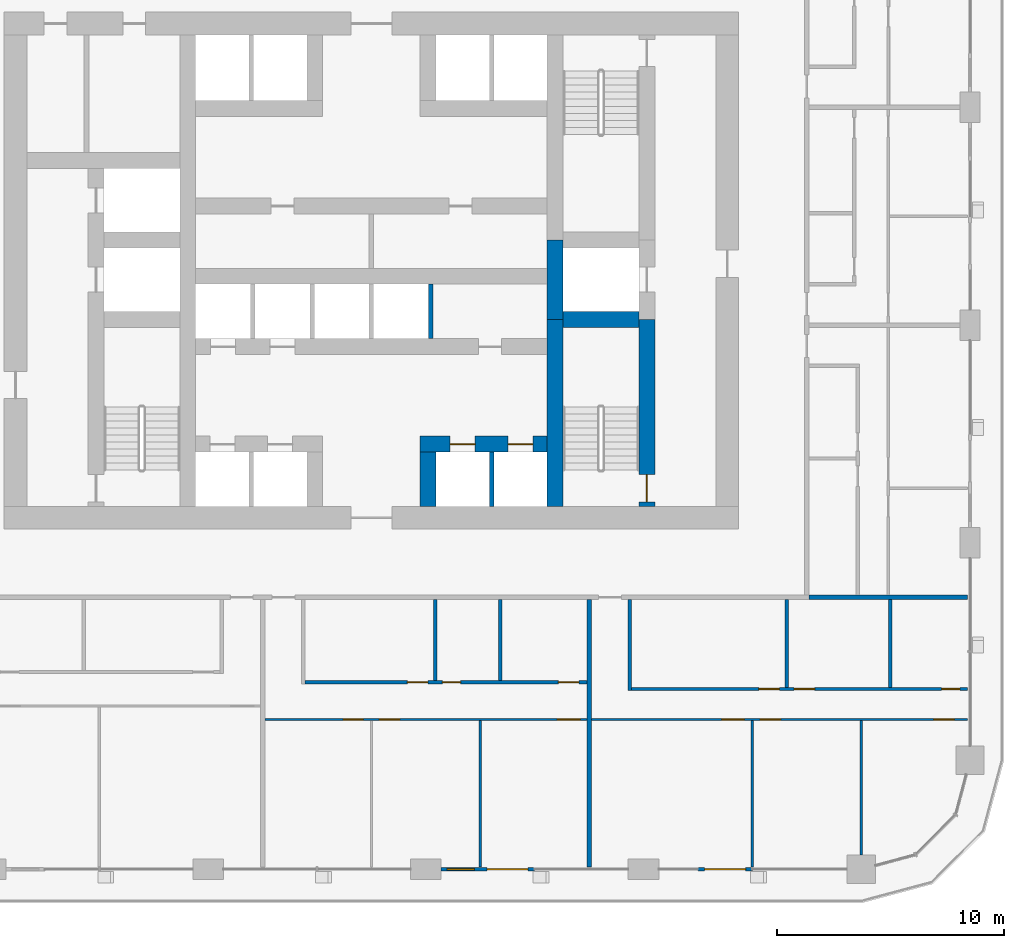
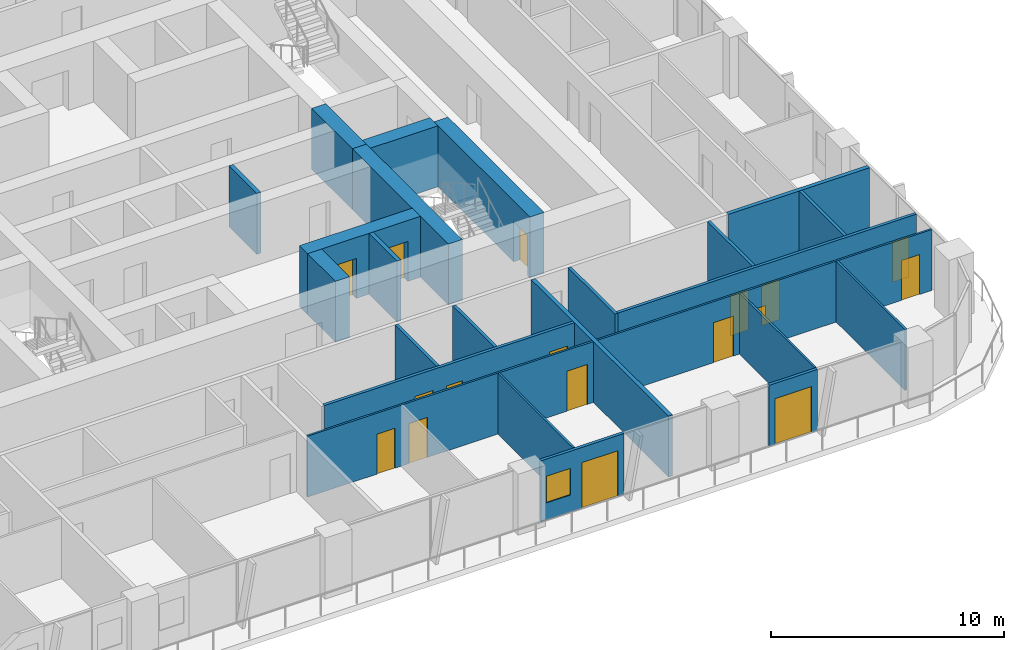
# One storey, part 11 of 21: 24 walls, 17 doors, 1 window, 18 openings.
"""IFC4 building model written with IfcOpenShell, lengths in metres."""

from ifc_helpers import new_model, si_unit, direction, frame, frame_2d, origin, place, context, subcontext, project, spatial, rectangle, extrude, material, layer, layer_set, type_object, element, fill, save


model = new_model("IFC4")

# Units and contexts
model_context = context("Model", 3, precision=1e-05, world=origin(), true_north=direction((0.0, 1.0)))
body_context = subcontext(model_context, "Body", "Model", "MODEL_VIEW")
ifc_project = project(units=[si_unit("LENGTHUNIT", "METRE"), si_unit("AREAUNIT", "SQUARE_METRE"), si_unit("VOLUMEUNIT", "CUBIC_METRE"), si_unit("PLANEANGLEUNIT", "RADIAN"), si_unit("MASSUNIT", "GRAM", prefix="KILO")], contexts=[model_context])

# Site, building, storey
site_placement = place(None, origin())
site = spatial("IfcSite", under=ifc_project, at=site_placement, CompositionType="ELEMENT")
building_placement = place(site_placement, origin())
building = spatial("IfcBuilding", under=site, at=building_placement, Name="Madar Terraces", CompositionType="ELEMENT")
storey_placement = place(building_placement, frame((0.0, 0.0, 39.89990234375)))
storey = spatial("IfcBuildingStorey", under=building, at=storey_placement, Name="L09", CompositionType="ELEMENT", Elevation=39.89990234375)

# Walls
ifc_material_1 = material(Name="Concrete C80/95", Category="concrete")
ifc_layer_1 = layer(ifc_material_1, 0.699951171875)
ifc_layer_set_1 = layer_set([ifc_layer_1], Name="Concrete C80/95 (CIW1 RC wall 700)")
wall_type_1 = type_object("IfcWallType", Name="CIW1 RC wall 700", PredefinedType="SHEAR", material=ifc_layer_set_1)
wall_1_placement = place(storey_placement, frame((39.300048828125, 16.0, 0.0), z_axis=(0.0, 0.0, 1.0), x_axis=(0.0, 1.0, 0.0)))
element("IfcWall", 1, at=wall_1_placement, inside=storey, type_object=wall_type_1, Name="CORE SHAFT WALL", PredefinedType="SHEAR", context=body_context, shape_type="SweptSolid", body=[
    extrude(rectangle(XDim=8.25, YDim=0.699951171875, at=frame_2d((4.125, 0.0))), origin(), (0.0, 0.0, 1.0), 3.2001953125),
])
wall_2_placement = place(storey_placement, frame((39.300048828125, 24.25, 0.0), z_axis=(0.0, 0.0, 1.0), x_axis=(0.0, 1.0, 0.0)))
element("IfcWall", 2, at=wall_2_placement, inside=storey, type_object=wall_type_1, Name="CORE SHAFT WALL", PredefinedType="SHEAR", context=body_context, shape_type="SweptSolid", body=[
    extrude(rectangle(XDim=3.5, YDim=0.699951171875, at=frame_2d((1.75, 0.0))), origin(), (0.0, 0.0, 1.0), 3.2001953125),
])

# Wall, opening, door
wall_3_placement = place(storey_placement, frame((43.35009765625, 16.0, 0.0), z_axis=(0.0, 0.0, 1.0), x_axis=(0.0, 1.0, 0.0)))
wall_3 = element("IfcWall", 3, at=wall_3_placement, inside=storey, type_object=wall_type_1, Name="CORE SHAFT WALL", PredefinedType="SHEAR", context=body_context, shape_type="SweptSolid", body=[
    extrude(rectangle(XDim=8.25, YDim=0.699951171875, at=frame_2d((4.125, 0.0))), origin(), (0.0, 0.0, 1.0), 3.2001953125),
])
opening_1_placement = place(wall_3_placement, frame((0.199951171875, 0.0, 0.0)))
opening_1 = element("IfcOpeningElement", 4, at=opening_1_placement, cuts=wall_3, Name="Opening SD1", PredefinedType="OPENING", context=body_context, shape_type="SweptSolid", body=[
    extrude(rectangle(XDim=1.199951171875, YDim=2.10009765625, at=frame_2d((0.60009765625, 1.050048828125))), frame((0.0, 0.35986328125, 0.0), z_axis=(0.0, -1.0, 0.0), x_axis=(1.0, 0.0, 0.0)), (0.0, 0.0, 1.0), 0.719970703125),
])
ifc_material_2 = material(Name="Steel door leaf", Category="steel")
door_type_1 = type_object("IfcDoorType", Name="Stair door 1200 x 2100", OperationType="NOTDEFINED", PredefinedType="DOOR", material=ifc_material_2)
door_1_placement = place(opening_1_placement, origin())
door_1 = element("IfcDoor", 5, at=door_1_placement, inside=storey, type_object=door_type_1, Name="STAIR DOOR", OperationType="SINGLE_SWING_RIGHT", OverallHeight=2.10009765625, OverallWidth=1.199951171875, PredefinedType="DOOR", context=body_context, shape_type="SweptSolid", body=[
    extrude(rectangle(XDim=1.199951171875, YDim=2.10009765625, at=frame_2d((0.60009765625, 1.050048828125))), frame((0.0, 0.02490234375, 0.0), z_axis=(0.0, -1.0, 0.0), x_axis=(1.0, 0.0, 0.0)), (0.0, 0.0, 1.0), 0.050048828125),
])
fill(opening_1, door_1)

# Wall
wall_4_placement = place(storey_placement, frame((39.64990234375, 24.25, 0.0), z_axis=(0.0, 0.0, 1.0), x_axis=(1.0, 0.0, 0.0)))
element("IfcWall", 6, at=wall_4_placement, inside=storey, type_object=wall_type_1, Name="CORE SHAFT WALL", PredefinedType="SHEAR", context=body_context, shape_type="SweptSolid", body=[
    extrude(rectangle(XDim=3.35009765625, YDim=0.699951171875, at=frame_2d((1.675048828125, 0.0))), origin(), (0.0, 0.0, 1.0), 3.2001953125),
])

# Wall, openings, doors
wall_5_placement = place(storey_placement, frame((33.35009765625, 18.75, 0.0), z_axis=(0.0, 0.0, 1.0), x_axis=(1.0, 0.0, 0.0)))
wall_5 = element("IfcWall", 7, at=wall_5_placement, inside=storey, type_object=wall_type_1, Name="CORE SHAFT WALL", PredefinedType="SHEAR", context=body_context, shape_type="SweptSolid", body=[
    extrude(rectangle(XDim=5.599853515625, YDim=0.699951171875, at=frame_2d((2.7998046875, 0.0))), origin(), (0.0, 0.0, 1.0), 3.2001953125),
])
opening_2_placement = place(wall_5_placement, frame((1.324951171875, 0.0, 0.0)))
opening_2 = element("IfcOpeningElement", 8, at=opening_2_placement, cuts=wall_5, Name="Opening LD", PredefinedType="OPENING", context=body_context, shape_type="SweptSolid", body=[
    extrude(rectangle(XDim=1.10009765625, YDim=2.10009765625, at=frame_2d((0.550048828125, 1.050048828125))), frame((0.0, 0.35986328125, 0.0), z_axis=(0.0, -1.0, 0.0), x_axis=(1.0, 0.0, 0.0)), (0.0, 0.0, 1.0), 0.719970703125),
])
opening_3_placement = place(wall_5_placement, frame((3.875, 0.0, 0.0)))
opening_3 = element("IfcOpeningElement", 9, at=opening_3_placement, cuts=wall_5, Name="Opening LD", PredefinedType="OPENING", context=body_context, shape_type="SweptSolid", body=[
    extrude(rectangle(XDim=1.10009765625, YDim=2.10009765625, at=frame_2d((0.550048828125, 1.050048828125))), frame((0.0, 0.35986328125, 0.0), z_axis=(0.0, -1.0, 0.0), x_axis=(1.0, 0.0, 0.0)), (0.0, 0.0, 1.0), 0.719970703125),
])
ifc_material_3 = material(Name="Stainless steel panel", Category="steel")
door_type_2 = type_object("IfcDoorType", Name="Lift landing door 1100 x 2100", OperationType="DOUBLE_DOOR_SLIDING", PredefinedType="DOOR", material=ifc_material_3)
door_2_placement = place(opening_2_placement, origin())
door_2 = element("IfcDoor", 10, at=door_2_placement, inside=storey, type_object=door_type_2, Name="LIFT LANDING DOOR", OperationType="DOUBLE_DOOR_SLIDING", OverallHeight=2.10009765625, OverallWidth=1.10009765625, PredefinedType="DOOR", context=body_context, shape_type="SweptSolid", body=[
    extrude(rectangle(XDim=1.10009765625, YDim=2.10009765625, at=frame_2d((0.550048828125, 1.050048828125))), frame((0.0, 0.02490234375, 0.0), z_axis=(0.0, -1.0, 0.0), x_axis=(1.0, 0.0, 0.0)), (0.0, 0.0, 1.0), 0.050048828125),
])
fill(opening_2, door_2)
door_3_placement = place(opening_3_placement, origin())
door_3 = element("IfcDoor", 11, at=door_3_placement, inside=storey, type_object=door_type_2, Name="LIFT LANDING DOOR", OperationType="DOUBLE_DOOR_SLIDING", OverallHeight=2.10009765625, OverallWidth=1.10009765625, PredefinedType="DOOR", context=body_context, shape_type="SweptSolid", body=[
    extrude(rectangle(XDim=1.10009765625, YDim=2.10009765625, at=frame_2d((0.550048828125, 1.050048828125))), frame((0.0, 0.02490234375, 0.0), z_axis=(0.0, -1.0, 0.0), x_axis=(1.0, 0.0, 0.0)), (0.0, 0.0, 1.0), 0.050048828125),
])
fill(opening_3, door_3)

# Walls
wall_6_placement = place(storey_placement, frame((33.699951171875, 16.0, 0.0), z_axis=(0.0, 0.0, 1.0), x_axis=(0.0, 1.0, 0.0)))
element("IfcWall", 12, at=wall_6_placement, inside=storey, type_object=wall_type_1, Name="CORE SHAFT WALL", PredefinedType="SHEAR", context=body_context, shape_type="SweptSolid", body=[
    extrude(rectangle(XDim=2.39990234375, YDim=0.699951171875, at=frame_2d((1.199951171875, 0.0))), origin(), (0.0, 0.0, 1.0), 3.2001953125),
])
ifc_material_4 = material(Name="Concrete C40/50", Category="concrete")
ifc_layer_2 = layer(ifc_material_4, 0.199951171875)
ifc_layer_set_2 = layer_set([ifc_layer_2], Name="Core shaft dividing wall 200 C40/50")
wall_type_2 = type_object("IfcWallType", Name="Core shaft dividing wall 200 C40/50", PredefinedType="SOLIDWALL", material=ifc_layer_set_2)
wall_7_placement = place(storey_placement, frame((33.816650390625, 23.39990234375, 0.0), z_axis=(0.0, 0.0, 1.0), x_axis=(0.0, 1.0, 0.0)))
element("IfcWall", 13, at=wall_7_placement, inside=storey, type_object=wall_type_2, Name="SHAFT DIVIDING WALL", PredefinedType="SOLIDWALL", context=body_context, shape_type="SweptSolid", body=[
    extrude(rectangle(XDim=2.400146484375, YDim=0.199951171875, at=frame_2d((1.2001953125, 0.0))), origin(), (0.0, 0.0, 1.0), 3.2001953125),
])
wall_8_placement = place(storey_placement, frame((36.5, 16.0, 0.0), z_axis=(0.0, 0.0, 1.0), x_axis=(0.0, 1.0, 0.0)))
element("IfcWall", 14, at=wall_8_placement, inside=storey, type_object=wall_type_2, Name="SHAFT DIVIDING WALL", PredefinedType="SOLIDWALL", context=body_context, shape_type="SweptSolid", body=[
    extrude(rectangle(XDim=2.39990234375, YDim=0.199951171875, at=frame_2d((1.199951171875, 0.0))), origin(), (0.0, 0.0, 1.0), 3.2001953125),
])

# Wall, openings, door, window
ifc_material_5 = material(Name="Aluminium composite panel, black, over insulated backing", Category="aluminium")
ifc_layer_3 = layer(ifc_material_5, 0.14990234375)
ifc_layer_set_3 = layer_set([ifc_layer_3], Name="Facade bay panel 150")
wall_type_3 = type_object("IfcWallType", Name="Facade bay panel 150", PredefinedType="SOLIDWALL", material=ifc_layer_set_3)
wall_9_placement = place(storey_placement, frame((34.27490234375, 0.0, 0.0), z_axis=(0.0, 0.0, 1.0), x_axis=(1.0, 0.0, 0.0)))
wall_9 = element("IfcWall", 15, at=wall_9_placement, inside=storey, type_object=wall_type_3, Name="Facade bay panel", PredefinedType="SOLIDWALL", context=body_context, shape_type="SweptSolid", body=[
    extrude(rectangle(XDim=4.125, YDim=0.14990234375, at=frame_2d((2.0625, 0.0))), origin(), (0.0, 0.0, 1.0), 3.2001953125),
])
opening_4_placement = place(wall_9_placement, frame((0.262451171875, 0.0, 0.89990234375)))
opening_4 = element("IfcOpeningElement", 16, at=opening_4_placement, cuts=wall_9, Name="Opening W1", PredefinedType="OPENING", context=body_context, shape_type="SweptSolid", body=[
    extrude(rectangle(XDim=1.199951171875, YDim=1.39990234375, at=frame_2d((0.60009765625, 0.699951171875))), frame((0.0, 0.0849609375, 0.0), z_axis=(0.0, -1.0, 0.0), x_axis=(1.0, 0.0, 0.0)), (0.0, 0.0, 1.0), 0.169921875),
])
opening_5_placement = place(wall_9_placement, frame((2.02490234375, 0.0, 0.0)))
opening_5 = element("IfcOpeningElement", 17, at=opening_5_placement, cuts=wall_9, Name="Opening ED1", PredefinedType="OPENING", context=body_context, shape_type="SweptSolid", body=[
    extrude(rectangle(XDim=1.800048828125, YDim=2.39990234375, at=frame_2d((0.89990234375, 1.199951171875))), frame((0.0, 0.0849609375, 0.0), z_axis=(0.0, -1.0, 0.0), x_axis=(1.0, 0.0, 0.0)), (0.0, 0.0, 1.0), 0.169921875),
])
ifc_material_6 = material(Name="Glass, clear, with black aluminium frame", Category="aluminium")
door_type_3 = type_object("IfcDoorType", Name="Balcony and terrace sliding door 1800 x 2400", OperationType="SLIDING_TO_LEFT", PredefinedType="DOOR", material=ifc_material_6)
door_4_placement = place(opening_5_placement, origin())
door_4 = element("IfcDoor", 18, at=door_4_placement, inside=storey, type_object=door_type_3, Name="Balcony door", OperationType="SLIDING_TO_RIGHT", OverallHeight=2.39990234375, OverallWidth=1.800048828125, PredefinedType="DOOR", context=body_context, shape_type="SweptSolid", body=[
    extrude(rectangle(XDim=1.800048828125, YDim=2.39990234375, at=frame_2d((0.89990234375, 1.199951171875))), frame((0.0, 0.02490234375, 0.0), z_axis=(0.0, -1.0, 0.0), x_axis=(1.0, 0.0, 0.0)), (0.0, 0.0, 1.0), 0.050048828125),
])
fill(opening_5, door_4)
ifc_material_7 = material(Name="Glass, clear, with black aluminium frame", Category="aluminium")
window_type = type_object("IfcWindowType", Name="Vent window 1200 x 1400", PartitioningType="SINGLE_PANEL", PredefinedType="WINDOW", material=ifc_material_7)
window_placement = place(opening_4_placement, origin())
window = element("IfcWindow", 19, at=window_placement, inside=storey, type_object=window_type, Name="Operable vent window", OverallHeight=1.39990234375, OverallWidth=1.199951171875, PartitioningType="SINGLE_PANEL", PredefinedType="WINDOW", context=body_context, shape_type="SweptSolid", body=[
    extrude(rectangle(XDim=1.199951171875, YDim=1.39990234375, at=frame_2d((0.60009765625, 0.699951171875))), frame((0.0, 0.030029296875, 0.0), z_axis=(0.0, -1.0, 0.0), x_axis=(1.0, 0.0, 0.0)), (0.0, 0.0, 1.0), 0.06005859375),
])
fill(opening_4, window)

# Wall, opening, door
wall_10_placement = place(storey_placement, frame((45.60009765625, 0.0, 0.0), z_axis=(0.0, 0.0, 1.0), x_axis=(1.0, 0.0, 0.0)))
wall_10 = element("IfcWall", 20, at=wall_10_placement, inside=storey, type_object=wall_type_3, Name="Facade bay panel", PredefinedType="SOLIDWALL", context=body_context, shape_type="SweptSolid", body=[
    extrude(rectangle(XDim=2.39990234375, YDim=0.14990234375, at=frame_2d((1.199951171875, 0.0))), origin(), (0.0, 0.0, 1.0), 3.2001953125),
])
opening_6_placement = place(wall_10_placement, frame((0.300048828125, 0.0, 0.0)))
opening_6 = element("IfcOpeningElement", 21, at=opening_6_placement, cuts=wall_10, Name="Opening ED1", PredefinedType="OPENING", context=body_context, shape_type="SweptSolid", body=[
    extrude(rectangle(XDim=1.800048828125, YDim=2.39990234375, at=frame_2d((0.89990234375, 1.199951171875))), frame((0.0, 0.0849609375, 0.0), z_axis=(0.0, -1.0, 0.0), x_axis=(1.0, 0.0, 0.0)), (0.0, 0.0, 1.0), 0.169921875),
])
door_5_placement = place(opening_6_placement, origin())
door_5 = element("IfcDoor", 22, at=door_5_placement, inside=storey, type_object=door_type_3, Name="Balcony door", OperationType="SLIDING_TO_LEFT", OverallHeight=2.39990234375, OverallWidth=1.800048828125, PredefinedType="DOOR", context=body_context, shape_type="SweptSolid", body=[
    extrude(rectangle(XDim=1.800048828125, YDim=2.39990234375, at=frame_2d((0.89990234375, 1.199951171875))), frame((0.0, 0.02490234375, 0.0), z_axis=(0.0, -1.0, 0.0), x_axis=(1.0, 0.0, 0.0)), (0.0, 0.0, 1.0), 0.050048828125),
])
fill(opening_6, door_5)

# Wall
ifc_material_8 = material(Name="Gypsum board on steel studs", Category="steel")
ifc_layer_4 = layer(ifc_material_8, 0.10009765625)
ifc_layer_set_4 = layer_set([ifc_layer_4], Name="Flat partition 100")
wall_type_4 = type_object("IfcWallType", Name="Flat partition 100", PredefinedType="PARTITIONING", material=ifc_layer_set_4)
wall_11_placement = place(storey_placement, frame((36.0, 6.550048828125, 0.0), z_axis=(0.0, 0.0, 1.0), x_axis=(0.0, -1.0, 0.0)))
element("IfcWall", 23, at=wall_11_placement, inside=storey, type_object=wall_type_4, Name="Flat partition 100", PredefinedType="PARTITIONING", context=body_context, shape_type="SweptSolid", body=[
    extrude(rectangle(XDim=6.449951171875, YDim=0.10009765625, at=frame_2d((3.22509765625, 0.0))), origin(), (0.0, 0.0, 1.0), 3.2001953125),
])

# Wall, openings, doors
wall_12_placement = place(storey_placement, frame((40.699951171875, 6.60009765625, 0.0), z_axis=(0.0, 0.0, 1.0), x_axis=(-1.0, 0.0, 0.0)))
wall_12 = element("IfcWall", 24, at=wall_12_placement, inside=storey, type_object=wall_type_4, Name="Flat partition 100", PredefinedType="PARTITIONING", context=body_context, shape_type="SweptSolid", body=[
    extrude(rectangle(XDim=14.199951171875, YDim=0.10009765625, at=frame_2d((7.10009765625, 0.0))), origin(), (0.0, 0.0, 1.0), 3.2001953125),
])
opening_7_placement = place(wall_12_placement, frame((9.85009765625, 0.0, 0.0)))
opening_7 = element("IfcOpeningElement", 25, at=opening_7_placement, cuts=wall_12, Name="Opening D2", PredefinedType="OPENING", context=body_context, shape_type="SweptSolid", body=[
    extrude(rectangle(XDim=0.89990234375, YDim=2.10009765625, at=frame_2d((0.449951171875, 1.050048828125))), frame((0.0, 0.06005859375, 0.0), z_axis=(0.0, -1.0, 0.0), x_axis=(1.0, 0.0, 0.0)), (0.0, 0.0, 1.0), 0.1201171875),
])
opening_8_placement = place(wall_12_placement, frame((8.25, 0.0, 0.0)))
opening_8 = element("IfcOpeningElement", 26, at=opening_8_placement, cuts=wall_12, Name="Opening D2", PredefinedType="OPENING", context=body_context, shape_type="SweptSolid", body=[
    extrude(rectangle(XDim=0.89990234375, YDim=2.10009765625, at=frame_2d((0.449951171875, 1.050048828125))), frame((0.0, 0.06005859375, 0.0), z_axis=(0.0, -1.0, 0.0), x_axis=(1.0, 0.0, 0.0)), (0.0, 0.0, 1.0), 0.1201171875),
])
opening_9_placement = place(wall_12_placement, frame((0.300048828125, 0.0, 0.0)))
opening_9 = element("IfcOpeningElement", 27, at=opening_9_placement, cuts=wall_12, Name="Opening D3", PredefinedType="OPENING", context=body_context, shape_type="SweptSolid", body=[
    extrude(rectangle(XDim=1.0, YDim=2.10009765625, at=frame_2d((0.5, 1.050048828125))), frame((0.0, 0.06005859375, 0.0), z_axis=(0.0, -1.0, 0.0), x_axis=(1.0, 0.0, 0.0)), (0.0, 0.0, 1.0), 0.1201171875),
])
ifc_material_9 = material(Name="Timber door leaf", Category="wood")
door_type_4 = type_object("IfcDoorType", Name="Flat living room door 1000", OperationType="NOTDEFINED", PredefinedType="DOOR", material=ifc_material_9)
door_6_placement = place(opening_9_placement, origin())
door_6 = element("IfcDoor", 28, at=door_6_placement, inside=storey, type_object=door_type_4, Name="Flat living room door 1000", OperationType="SINGLE_SWING_LEFT", OverallHeight=2.10009765625, OverallWidth=1.0, PredefinedType="DOOR", context=body_context, shape_type="SweptSolid", body=[
    extrude(rectangle(XDim=1.0, YDim=2.10009765625, at=frame_2d((0.5, 1.050048828125))), frame((0.0, 0.02490234375, 0.0), z_axis=(0.0, -1.0, 0.0), x_axis=(1.0, 0.0, 0.0)), (0.0, 0.0, 1.0), 0.050048828125),
])
fill(opening_9, door_6)
ifc_material_10 = material(Name="Timber door leaf", Category="wood")
door_type_5 = type_object("IfcDoorType", Name="Flat room door 900", OperationType="NOTDEFINED", PredefinedType="DOOR", material=ifc_material_10)
door_7_placement = place(opening_7_placement, origin())
door_7 = element("IfcDoor", 29, at=door_7_placement, inside=storey, type_object=door_type_5, Name="Flat room door 900", OperationType="SINGLE_SWING_LEFT", OverallHeight=2.10009765625, OverallWidth=0.89990234375, PredefinedType="DOOR", context=body_context, shape_type="SweptSolid", body=[
    extrude(rectangle(XDim=0.89990234375, YDim=2.10009765625, at=frame_2d((0.449951171875, 1.050048828125))), frame((0.0, 0.02490234375, 0.0), z_axis=(0.0, -1.0, 0.0), x_axis=(1.0, 0.0, 0.0)), (0.0, 0.0, 1.0), 0.050048828125),
])
fill(opening_7, door_7)
door_8_placement = place(opening_8_placement, origin())
door_8 = element("IfcDoor", 30, at=door_8_placement, inside=storey, type_object=door_type_5, Name="Flat room door 900", OperationType="SINGLE_SWING_RIGHT", OverallHeight=2.10009765625, OverallWidth=0.89990234375, PredefinedType="DOOR", context=body_context, shape_type="SweptSolid", body=[
    extrude(rectangle(XDim=0.89990234375, YDim=2.10009765625, at=frame_2d((0.449951171875, 1.050048828125))), frame((0.0, 0.02490234375, 0.0), z_axis=(0.0, -1.0, 0.0), x_axis=(1.0, 0.0, 0.0)), (0.0, 0.0, 1.0), 0.050048828125),
])
fill(opening_8, door_8)

# Walls
wall_13_placement = place(storey_placement, frame((48.0, 6.550048828125, 0.0), z_axis=(0.0, 0.0, 1.0), x_axis=(0.0, -1.0, 0.0)))
element("IfcWall", 31, at=wall_13_placement, inside=storey, type_object=wall_type_4, Name="Flat partition 100", PredefinedType="PARTITIONING", context=body_context, shape_type="SweptSolid", body=[
    extrude(rectangle(XDim=6.449951171875, YDim=0.10009765625, at=frame_2d((3.22509765625, 0.0))), origin(), (0.0, 0.0, 1.0), 3.2001953125),
])
wall_14_placement = place(storey_placement, frame((52.800048828125, 6.550048828125, 0.0), z_axis=(0.0, 0.0, 1.0), x_axis=(0.0, -1.0, 0.0)))
element("IfcWall", 32, at=wall_14_placement, inside=storey, type_object=wall_type_4, Name="Flat partition 100", PredefinedType="PARTITIONING", context=body_context, shape_type="SweptSolid", body=[
    extrude(rectangle(XDim=5.925048828125, YDim=0.10009765625, at=frame_2d((2.96240234375, 0.0))), origin(), (0.0, 0.0, 1.0), 3.2001953125),
])

# Wall, openings, doors
wall_15_placement = place(storey_placement, frame((57.5, 6.60009765625, 0.0), z_axis=(0.0, 0.0, 1.0), x_axis=(-1.0, 0.0, 0.0)))
wall_15 = element("IfcWall", 33, at=wall_15_placement, inside=storey, type_object=wall_type_4, Name="Flat partition 100", PredefinedType="PARTITIONING", context=body_context, shape_type="SweptSolid", body=[
    extrude(rectangle(XDim=16.60009765625, YDim=0.10009765625, at=frame_2d((8.300048828125, 0.0))), origin(), (0.0, 0.0, 1.0), 3.2001953125),
])
opening_10_placement = place(wall_15_placement, frame((9.85009765625, 0.0, 0.0)))
opening_10 = element("IfcOpeningElement", 34, at=opening_10_placement, cuts=wall_15, Name="Opening D3", PredefinedType="OPENING", context=body_context, shape_type="SweptSolid", body=[
    extrude(rectangle(XDim=1.0, YDim=2.10009765625, at=frame_2d((0.5, 1.050048828125))), frame((0.0, 0.06005859375, 0.0), z_axis=(0.0, -1.0, 0.0), x_axis=(1.0, 0.0, 0.0)), (0.0, 0.0, 1.0), 0.1201171875),
])
opening_11_placement = place(wall_15_placement, frame((8.25, 0.0, 0.0)))
opening_11 = element("IfcOpeningElement", 35, at=opening_11_placement, cuts=wall_15, Name="Opening D2", PredefinedType="OPENING", context=body_context, shape_type="SweptSolid", body=[
    extrude(rectangle(XDim=0.89990234375, YDim=2.10009765625, at=frame_2d((0.449951171875, 1.050048828125))), frame((0.0, 0.06005859375, 0.0), z_axis=(0.0, -1.0, 0.0), x_axis=(1.0, 0.0, 0.0)), (0.0, 0.0, 1.0), 0.1201171875),
])
opening_12_placement = place(wall_15_placement, frame((0.60009765625, 0.0, 0.0)))
opening_12 = element("IfcOpeningElement", 36, at=opening_12_placement, cuts=wall_15, Name="Opening D2", PredefinedType="OPENING", context=body_context, shape_type="SweptSolid", body=[
    extrude(rectangle(XDim=0.89990234375, YDim=2.10009765625, at=frame_2d((0.449951171875, 1.050048828125))), frame((0.0, 0.06005859375, 0.0), z_axis=(0.0, -1.0, 0.0), x_axis=(1.0, 0.0, 0.0)), (0.0, 0.0, 1.0), 0.1201171875),
])
door_9_placement = place(opening_10_placement, origin())
door_9 = element("IfcDoor", 37, at=door_9_placement, inside=storey, type_object=door_type_4, Name="Flat living room door 1000", OperationType="SINGLE_SWING_LEFT", OverallHeight=2.10009765625, OverallWidth=1.0, PredefinedType="DOOR", context=body_context, shape_type="SweptSolid", body=[
    extrude(rectangle(XDim=1.0, YDim=2.10009765625, at=frame_2d((0.5, 1.050048828125))), frame((0.0, 0.02490234375, 0.0), z_axis=(0.0, -1.0, 0.0), x_axis=(1.0, 0.0, 0.0)), (0.0, 0.0, 1.0), 0.050048828125),
])
fill(opening_10, door_9)
door_10_placement = place(opening_11_placement, origin())
door_10 = element("IfcDoor", 38, at=door_10_placement, inside=storey, type_object=door_type_5, Name="Flat room door 900", OperationType="SINGLE_SWING_RIGHT", OverallHeight=2.10009765625, OverallWidth=0.89990234375, PredefinedType="DOOR", context=body_context, shape_type="SweptSolid", body=[
    extrude(rectangle(XDim=0.89990234375, YDim=2.10009765625, at=frame_2d((0.449951171875, 1.050048828125))), frame((0.0, 0.02490234375, 0.0), z_axis=(0.0, -1.0, 0.0), x_axis=(1.0, 0.0, 0.0)), (0.0, 0.0, 1.0), 0.050048828125),
])
fill(opening_11, door_10)
door_11_placement = place(opening_12_placement, origin())
door_11 = element("IfcDoor", 39, at=door_11_placement, inside=storey, type_object=door_type_5, Name="Flat room door 900", OperationType="SINGLE_SWING_LEFT", OverallHeight=2.10009765625, OverallWidth=0.89990234375, PredefinedType="DOOR", context=body_context, shape_type="SweptSolid", body=[
    extrude(rectangle(XDim=0.89990234375, YDim=2.10009765625, at=frame_2d((0.449951171875, 1.050048828125))), frame((0.0, 0.02490234375, 0.0), z_axis=(0.0, -1.0, 0.0), x_axis=(1.0, 0.0, 0.0)), (0.0, 0.0, 1.0), 0.050048828125),
])
fill(opening_12, door_11)

# Walls
ifc_material_11 = material(Name="Lightweight blockwork", Category="masonry")
ifc_layer_5 = layer(ifc_material_11, 0.199951171875)
ifc_layer_set_5 = layer_set([ifc_layer_5], Name="Flat party and entrance wall 200")
wall_type_5 = type_object("IfcWallType", Name="Flat party and entrance wall 200", PredefinedType="PARTITIONING", material=ifc_layer_set_5)
wall_16_placement = place(storey_placement, frame((40.800048828125, 11.89990234375, 0.0), z_axis=(0.0, 0.0, 1.0), x_axis=(0.0, -1.0, 0.0)))
element("IfcWall", 40, at=wall_16_placement, inside=storey, type_object=wall_type_5, Name="Flat party and entrance wall 200", PredefinedType="PARTITIONING", context=body_context, shape_type="SweptSolid", body=[
    extrude(rectangle(XDim=11.7998046875, YDim=0.199951171875, at=frame_2d((5.89990234375, 0.0))), origin(), (0.0, 0.0, 1.0), 3.2001953125),
])
wall_17_placement = place(storey_placement, frame((50.5, 12.0, 0.0), z_axis=(0.0, 0.0, 1.0), x_axis=(1.0, 0.0, 0.0)))
element("IfcWall", 41, at=wall_17_placement, inside=storey, type_object=wall_type_5, Name="Flat party and entrance wall 200", PredefinedType="PARTITIONING", context=body_context, shape_type="SweptSolid", body=[
    extrude(rectangle(XDim=7.0, YDim=0.199951171875, at=frame_2d((3.5, 0.0))), origin(), (0.0, 0.0, 1.0), 3.2001953125),
])
ifc_material_12 = material(Name="Lightweight blockwork", Category="masonry")
ifc_layer_6 = layer(ifc_material_12, 0.14990234375)
ifc_layer_set_6 = layer_set([ifc_layer_6], Name="Flat wet-room partition 150")
wall_type_6 = type_object("IfcWallType", Name="Flat wet-room partition 150", PredefinedType="PARTITIONING", material=ifc_layer_set_6)
for number, where, z_axis, x_axis, name in (
    (42, (34.009521484375, 11.89990234375, 0.0), (0.0, 0.0, 1.0), (0.0, -1.0, 0.0), "Flat wet-room partition 150"),
    (43, (36.876953125, 11.89990234375, 0.0), (0.0, 0.0, 1.0), (0.0, -1.0, 0.0), "Flat wet-room partition 150"),
):
    element("IfcWall", number, at=place(storey_placement, frame(where, z_axis=z_axis, x_axis=x_axis)), inside=storey, type_object=wall_type_6, Name=name, PredefinedType="PARTITIONING", context=body_context, shape_type="SweptSolid", body=[
        extrude(rectangle(XDim=3.574951171875, YDim=0.14990234375, at=frame_2d((1.78759765625, 0.0))), origin(), (0.0, 0.0, 1.0), 3.2001953125),
    ])

# Wall, openings, doors
wall_18_placement = place(storey_placement, frame((28.27490234375, 8.25, 0.0), z_axis=(0.0, 0.0, 1.0), x_axis=(1.0, 0.0, 0.0)))
wall_18 = element("IfcWall", 44, at=wall_18_placement, inside=storey, type_object=wall_type_6, Name="Flat wet-room partition 150", PredefinedType="PARTITIONING", context=body_context, shape_type="SweptSolid", body=[
    extrude(rectangle(XDim=12.425048828125, YDim=0.14990234375, at=frame_2d((6.21240234375, 0.0))), origin(), (0.0, 0.0, 1.0), 3.2001953125),
])
opening_13_placement = place(wall_18_placement, frame((4.509521484375, 0.0, 0.0)))
opening_13 = element("IfcOpeningElement", 45, at=opening_13_placement, cuts=wall_18, Name="Opening D2", PredefinedType="OPENING", context=body_context, shape_type="SweptSolid", body=[
    extrude(rectangle(XDim=0.89990234375, YDim=2.10009765625, at=frame_2d((0.449951171875, 1.050048828125))), frame((0.0, 0.0849609375, 0.0), z_axis=(0.0, -1.0, 0.0), x_axis=(1.0, 0.0, 0.0)), (0.0, 0.0, 1.0), 0.169921875),
])
opening_14_placement = place(wall_18_placement, frame((6.0595703125, 0.0, 0.0)))
opening_14 = element("IfcOpeningElement", 46, at=opening_14_placement, cuts=wall_18, Name="Opening D4", PredefinedType="OPENING", context=body_context, shape_type="SweptSolid", body=[
    extrude(rectangle(XDim=0.800048828125, YDim=2.10009765625, at=frame_2d((0.39990234375, 1.050048828125))), frame((0.0, 0.0849609375, 0.0), z_axis=(0.0, -1.0, 0.0), x_axis=(1.0, 0.0, 0.0)), (0.0, 0.0, 1.0), 0.169921875),
])
opening_15_placement = place(wall_18_placement, frame((11.175048828125, 0.0, 0.0)))
opening_15 = element("IfcOpeningElement", 47, at=opening_15_placement, cuts=wall_18, Name="Opening D5", PredefinedType="OPENING", context=body_context, shape_type="SweptSolid", body=[
    extrude(rectangle(XDim=0.89990234375, YDim=2.10009765625, at=frame_2d((0.449951171875, 1.050048828125))), frame((0.0, 0.0849609375, 0.0), z_axis=(0.0, -1.0, 0.0), x_axis=(1.0, 0.0, 0.0)), (0.0, 0.0, 1.0), 0.169921875),
])
ifc_material_13 = material(Name="Timber door leaf", Category="wood")
door_type_6 = type_object("IfcDoorType", Name="Flat accessible bathroom door 900", OperationType="NOTDEFINED", PredefinedType="DOOR", material=ifc_material_13)
door_12_placement = place(opening_15_placement, origin())
door_12 = element("IfcDoor", 48, at=door_12_placement, inside=storey, type_object=door_type_6, Name="Flat accessible bathroom door 900", OperationType="SINGLE_SWING_RIGHT", OverallHeight=2.10009765625, OverallWidth=0.89990234375, PredefinedType="DOOR", context=body_context, shape_type="SweptSolid", body=[
    extrude(rectangle(XDim=0.89990234375, YDim=2.10009765625, at=frame_2d((0.449951171875, 1.050048828125))), frame((0.0, 0.02490234375, 0.0), z_axis=(0.0, -1.0, 0.0), x_axis=(1.0, 0.0, 0.0)), (0.0, 0.0, 1.0), 0.050048828125),
])
fill(opening_15, door_12)
ifc_material_14 = material(Name="Timber door leaf", Category="wood")
door_type_7 = type_object("IfcDoorType", Name="Flat bathroom door 800", OperationType="NOTDEFINED", PredefinedType="DOOR", material=ifc_material_14)
door_13_placement = place(opening_14_placement, origin())
door_13 = element("IfcDoor", 49, at=door_13_placement, inside=storey, type_object=door_type_7, Name="Flat bathroom door 800", OperationType="SINGLE_SWING_LEFT", OverallHeight=2.10009765625, OverallWidth=0.800048828125, PredefinedType="DOOR", context=body_context, shape_type="SweptSolid", body=[
    extrude(rectangle(XDim=0.800048828125, YDim=2.10009765625, at=frame_2d((0.39990234375, 1.050048828125))), frame((0.0, 0.02490234375, 0.0), z_axis=(0.0, -1.0, 0.0), x_axis=(1.0, 0.0, 0.0)), (0.0, 0.0, 1.0), 0.050048828125),
])
fill(opening_14, door_13)
door_14_placement = place(opening_13_placement, origin())
door_14 = element("IfcDoor", 50, at=door_14_placement, inside=storey, type_object=door_type_5, Name="Flat room door 900", OperationType="SINGLE_SWING_RIGHT", OverallHeight=2.10009765625, OverallWidth=0.89990234375, PredefinedType="DOOR", context=body_context, shape_type="SweptSolid", body=[
    extrude(rectangle(XDim=0.89990234375, YDim=2.10009765625, at=frame_2d((0.449951171875, 1.050048828125))), frame((0.0, 0.02490234375, 0.0), z_axis=(0.0, -1.0, 0.0), x_axis=(1.0, 0.0, 0.0)), (0.0, 0.0, 1.0), 0.050048828125),
])
fill(opening_13, door_14)

# Walls
for number, where, z_axis, x_axis, name in (
    (51, (49.517333984375, 11.89990234375, 0.0), (0.0, 0.0, 1.0), (0.0, -1.0, 0.0), "Flat wet-room partition 150"),
    (52, (54.078857421875, 11.89990234375, 0.0), (0.0, 0.0, 1.0), (0.0, -1.0, 0.0), "Flat wet-room partition 150"),
):
    element("IfcWall", number, at=place(storey_placement, frame(where, z_axis=z_axis, x_axis=x_axis)), inside=storey, type_object=wall_type_6, Name=name, PredefinedType="PARTITIONING", context=body_context, shape_type="SweptSolid", body=[
        extrude(rectangle(XDim=3.875, YDim=0.14990234375, at=frame_2d((1.9375, 0.0))), origin(), (0.0, 0.0, 1.0), 3.2001953125),
    ])
wall_19_placement = place(storey_placement, frame((42.60009765625, 11.89990234375, 0.0), z_axis=(0.0, 0.0, 1.0), x_axis=(0.0, -1.0, 0.0)))
element("IfcWall", 53, at=wall_19_placement, inside=storey, type_object=wall_type_6, Name="Flat wet-room partition 150", PredefinedType="PARTITIONING", context=body_context, shape_type="SweptSolid", body=[
    extrude(rectangle(XDim=4.02490234375, YDim=0.14990234375, at=frame_2d((2.012451171875, 0.0))), origin(), (0.0, 0.0, 1.0), 3.2001953125),
])

# Wall, openings, doors
wall_20_placement = place(storey_placement, frame((42.675048828125, 7.949951171875, 0.0), z_axis=(0.0, 0.0, 1.0), x_axis=(1.0, 0.0, 0.0)))
wall_20 = element("IfcWall", 54, at=wall_20_placement, inside=storey, type_object=wall_type_6, Name="Flat wet-room partition 150", PredefinedType="PARTITIONING", context=body_context, shape_type="SweptSolid", body=[
    extrude(rectangle(XDim=14.824951171875, YDim=0.14990234375, at=frame_2d((7.41259765625, 0.0))), origin(), (0.0, 0.0, 1.0), 3.2001953125),
])
opening_16_placement = place(wall_20_placement, frame((5.6171875, 0.0, 0.0)))
opening_16 = element("IfcOpeningElement", 55, at=opening_16_placement, cuts=wall_20, Name="Opening D2", PredefinedType="OPENING", context=body_context, shape_type="SweptSolid", body=[
    extrude(rectangle(XDim=0.89990234375, YDim=2.10009765625, at=frame_2d((0.449951171875, 1.050048828125))), frame((0.0, 0.0849609375, 0.0), z_axis=(0.0, -1.0, 0.0), x_axis=(1.0, 0.0, 0.0)), (0.0, 0.0, 1.0), 0.169921875),
])
opening_17_placement = place(wall_20_placement, frame((7.167236328125, 0.0, 0.0)))
opening_17 = element("IfcOpeningElement", 56, at=opening_17_placement, cuts=wall_20, Name="Opening D5", PredefinedType="OPENING", context=body_context, shape_type="SweptSolid", body=[
    extrude(rectangle(XDim=0.89990234375, YDim=2.10009765625, at=frame_2d((0.449951171875, 1.050048828125))), frame((0.0, 0.0849609375, 0.0), z_axis=(0.0, -1.0, 0.0), x_axis=(1.0, 0.0, 0.0)), (0.0, 0.0, 1.0), 0.169921875),
])
opening_18_placement = place(wall_20_placement, frame((13.675048828125, 0.0, 0.0)))
opening_18 = element("IfcOpeningElement", 57, at=opening_18_placement, cuts=wall_20, Name="Opening D4", PredefinedType="OPENING", context=body_context, shape_type="SweptSolid", body=[
    extrude(rectangle(XDim=0.800048828125, YDim=2.10009765625, at=frame_2d((0.39990234375, 1.050048828125))), frame((0.0, 0.0849609375, 0.0), z_axis=(0.0, -1.0, 0.0), x_axis=(1.0, 0.0, 0.0)), (0.0, 0.0, 1.0), 0.169921875),
])
door_15_placement = place(opening_17_placement, origin())
door_15 = element("IfcDoor", 58, at=door_15_placement, inside=storey, type_object=door_type_6, Name="Flat accessible bathroom door 900", OperationType="SINGLE_SWING_LEFT", OverallHeight=2.10009765625, OverallWidth=0.89990234375, PredefinedType="DOOR", context=body_context, shape_type="SweptSolid", body=[
    extrude(rectangle(XDim=0.89990234375, YDim=2.10009765625, at=frame_2d((0.449951171875, 1.050048828125))), frame((0.0, 0.02490234375, 0.0), z_axis=(0.0, -1.0, 0.0), x_axis=(1.0, 0.0, 0.0)), (0.0, 0.0, 1.0), 0.050048828125),
])
fill(opening_17, door_15)
door_16_placement = place(opening_18_placement, origin())
door_16 = element("IfcDoor", 59, at=door_16_placement, inside=storey, type_object=door_type_7, Name="Flat bathroom door 800", OperationType="SINGLE_SWING_RIGHT", OverallHeight=2.10009765625, OverallWidth=0.800048828125, PredefinedType="DOOR", context=body_context, shape_type="SweptSolid", body=[
    extrude(rectangle(XDim=0.800048828125, YDim=2.10009765625, at=frame_2d((0.39990234375, 1.050048828125))), frame((0.0, 0.02490234375, 0.0), z_axis=(0.0, -1.0, 0.0), x_axis=(1.0, 0.0, 0.0)), (0.0, 0.0, 1.0), 0.050048828125),
])
fill(opening_18, door_16)
door_17_placement = place(opening_16_placement, origin())
door_17 = element("IfcDoor", 60, at=door_17_placement, inside=storey, type_object=door_type_5, Name="Flat room door 900", OperationType="SINGLE_SWING_RIGHT", OverallHeight=2.10009765625, OverallWidth=0.89990234375, PredefinedType="DOOR", context=body_context, shape_type="SweptSolid", body=[
    extrude(rectangle(XDim=0.89990234375, YDim=2.10009765625, at=frame_2d((0.449951171875, 1.050048828125))), frame((0.0, 0.02490234375, 0.0), z_axis=(0.0, -1.0, 0.0), x_axis=(1.0, 0.0, 0.0)), (0.0, 0.0, 1.0), 0.050048828125),
])
fill(opening_16, door_17)

save(model, "model.ifc")
